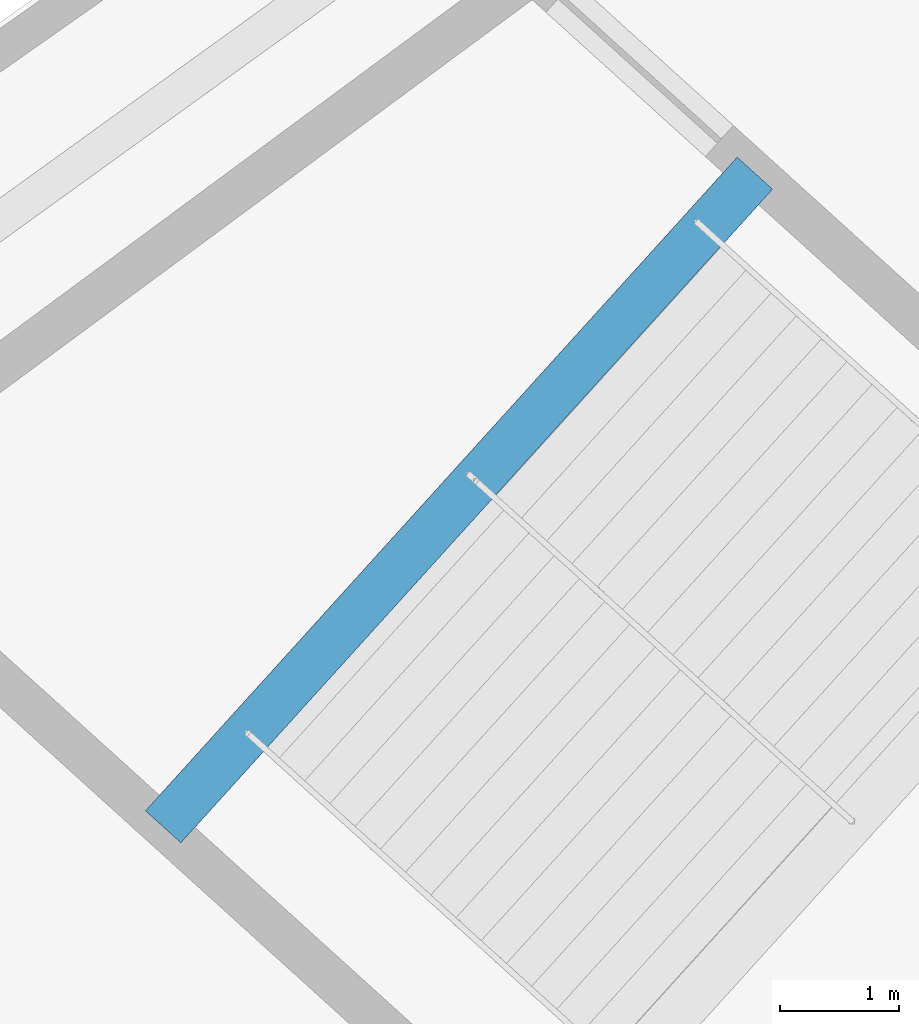
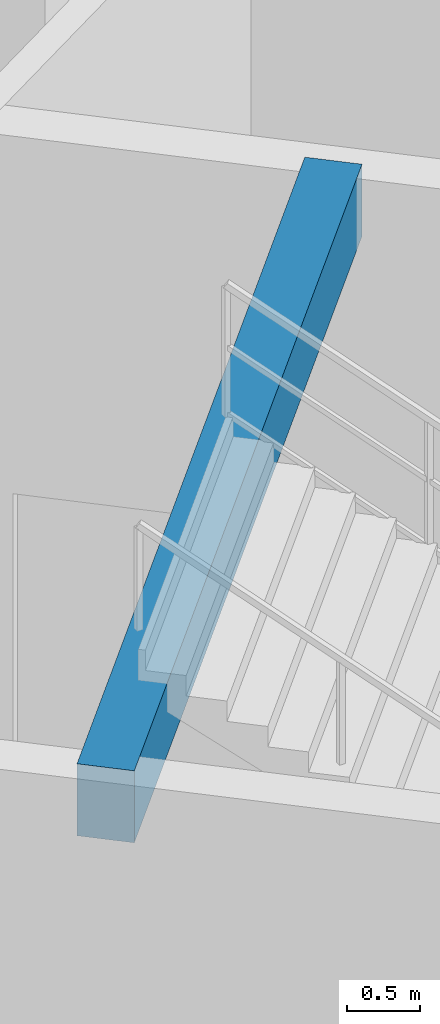
# One storey, part 12 of 103: 1 beam.
"""IFC4 building model written with IfcOpenShell, lengths in metres."""

from ifc_helpers import new_model, si_unit, direction, frame, origin, origin_2d, place, context, subcontext, project, spatial, rectangle, extrude, material, material_profile, profile_set, type_object, element, save


model = new_model("IFC4")

# Units and contexts
model_context = context("Model", 3, precision=1e-05, world=origin(), true_north=direction((0.0, 1.0)))
body_context = subcontext(model_context, "Body", "Model", "MODEL_VIEW")
ifc_project = project(units=[si_unit("LENGTHUNIT", "METRE"), si_unit("AREAUNIT", "SQUARE_METRE"), si_unit("VOLUMEUNIT", "CUBIC_METRE"), si_unit("PLANEANGLEUNIT", "RADIAN"), si_unit("MASSUNIT", "GRAM", prefix="KILO")], contexts=[model_context])

# Site, building, storey
site_placement = place(None, origin())
site = spatial("IfcSite", under=ifc_project, at=site_placement, CompositionType="ELEMENT")
building_placement = place(site_placement, origin())
building = spatial("IfcBuilding", under=site, at=building_placement, Name="Kazemori Nagisa Stadium", CompositionType="ELEMENT")
storey_placement = place(building_placement, frame((0.0, 0.0, 25.840087890625)))
storey = spatial("IfcBuildingStorey", under=building, at=storey_placement, Name="L05", CompositionType="ELEMENT", Elevation=25.840087890625)

# Beam
ifc_material = material(Name="Concrete C40/50 (Fc42)", Category="concrete")
ifc_material_profile = material_profile(ifc_material, rectangle(XDim=0.39990234375, YDim=0.60009765625, at=origin_2d()), Name="RC-BM-400x600")
ifc_profile_set = profile_set([ifc_material_profile], Name="Concrete C40/50 (Fc42)")
beam_type = type_object("IfcBeamType", Name="Beam_BG-LND400X600", PredefinedType="BEAM", material=ifc_profile_set)
beam_placement = place(storey_placement, frame((55.545654296875, 49.1318359375, 4.8798828125), z_axis=(-0.671129682405, -0.741339968837, 0.0), x_axis=(0.741339968837, -0.671129682405, 0.0)))
element("IfcBeam", 1, at=beam_placement, inside=storey, type_object=beam_type, Name="Core stair arrival header girder ST03-L05", PredefinedType="BEAM", context=body_context, shape_type="SweptSolid", body=[
    extrude(rectangle(XDim=0.39990234375, YDim=0.60009765625, at=origin_2d()), origin(), (0.0, 0.0, 1.0), 7.3857421875),
])

save(model, "model.ifc")
